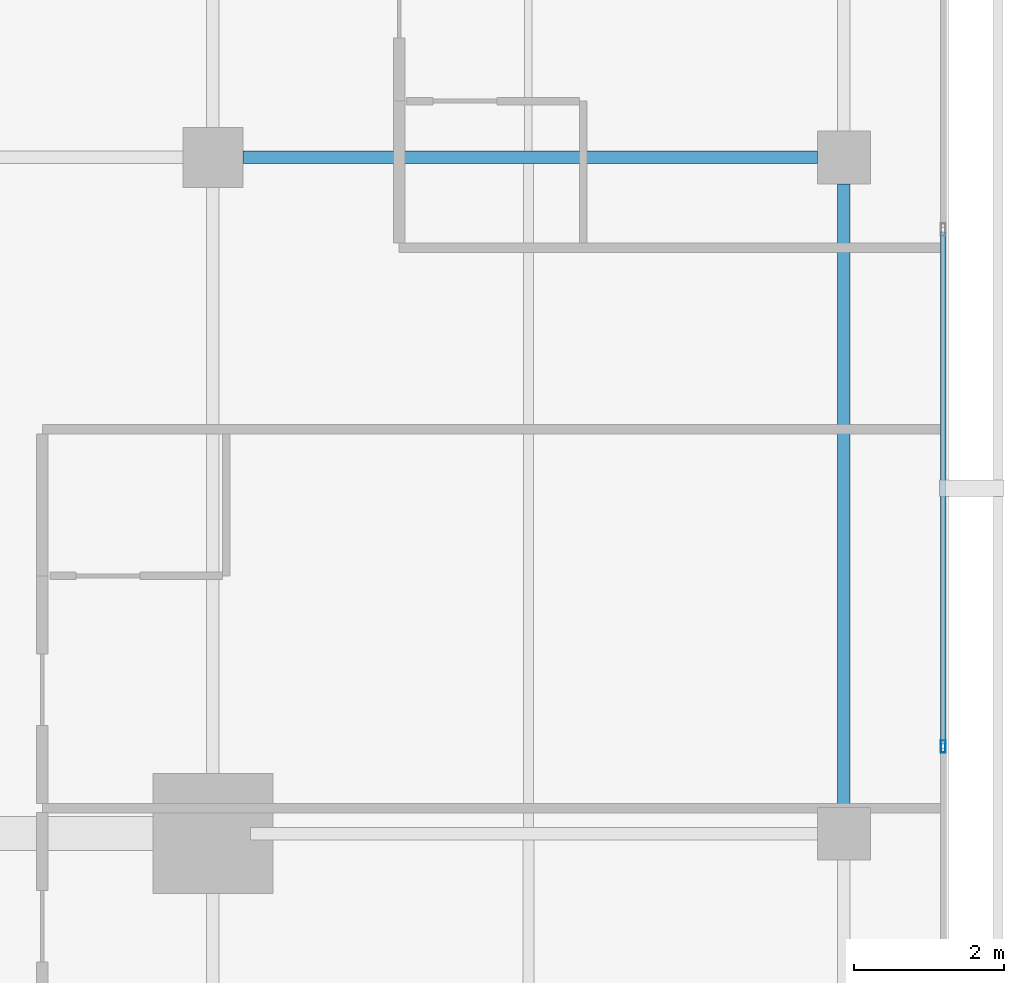
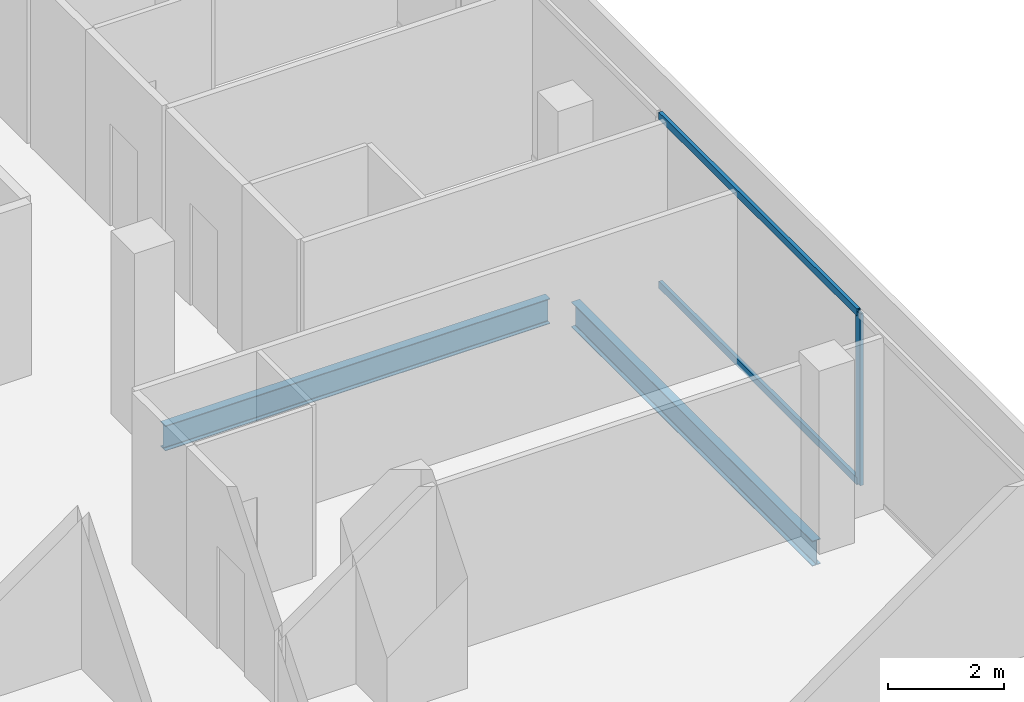
# One storey, part 14 of 26: 3 members, 2 beams, 1 element without a shape of its own.
"""IFC4 building model written with IfcOpenShell, lengths in metres."""

from ifc_helpers import new_model, si_unit, direction, frame, origin, origin_2d, place, context, subcontext, project, spatial, hollow_rectangle, i_section, extrude, material, layer, layer_set, material_profile, profile_set, type_object, element, aggregate, save


model = new_model("IFC4")

# Units and contexts
model_context = context("Model", 3, precision=1e-05, world=origin(), true_north=direction((0.0, 1.0)))
body_context = subcontext(model_context, "Body", "Model", "MODEL_VIEW")
ifc_project = project(units=[si_unit("LENGTHUNIT", "METRE"), si_unit("AREAUNIT", "SQUARE_METRE"), si_unit("VOLUMEUNIT", "CUBIC_METRE"), si_unit("PLANEANGLEUNIT", "RADIAN"), si_unit("MASSUNIT", "GRAM", prefix="KILO")], contexts=[model_context])

# Site, building, storey
site_placement = place(None, origin())
site = spatial("IfcSite", under=ifc_project, at=site_placement, CompositionType="ELEMENT")
building_placement = place(site_placement, origin())
building = spatial("IfcBuilding", under=site, at=building_placement, Name="Maruvema Waterfront Hotel and Observation Tower", CompositionType="ELEMENT")
storey_placement = place(building_placement, frame((0.0, 0.0, 285.60009765625)))
storey = spatial("IfcBuildingStorey", under=building, at=storey_placement, Name="L70", CompositionType="ELEMENT", Elevation=285.60009765625)

# Curtain wall, members
ifc_material_1 = material(Name="Anodised bronze aluminium and solar-control low-E IGU", Category="aluminium")
ifc_layer = layer(ifc_material_1, 0.159912109375, Name="Zone 3 Champagne Inner Thermal Curtain Wall System CW-04")
ifc_layer_set = layer_set([ifc_layer], Name="Anodised bronze aluminium and solar-control low-E IGU")
curtain_wall_type = type_object("IfcCurtainWallType", Name="Zone 3 Champagne Inner Thermal Curtain Wall System CW-04", PredefinedType="USERDEFINED", material=ifc_layer_set)
curtain_wall_placement = place(storey_placement, origin())
curtain_wall = element("IfcCurtainWall", 1, at=curtain_wall_placement, inside=storey, type_object=curtain_wall_type, Name="L70 Curtain Wall CW-L70-E", ObjectType="UNITISED CURTAIN WALL", PredefinedType="USERDEFINED")
ifc_material_2 = material(Name="Anodised architectural bronze aluminium", Category="aluminium")
ifc_material_profile_1 = material_profile(ifc_material_2, hollow_rectangle(XDim=0.070068359375, YDim=0.14990234375, WallThickness=0.00390625, at=origin_2d()), Name="ALU-T70x150")
ifc_profile_set_1 = profile_set([ifc_material_profile_1], Name="Anodised architectural bronze aluminium")
member_type_1 = type_object("IfcMemberType", Name="Curtain Wall Horizontal Transom ALU-T70x150", PredefinedType="USERDEFINED", material=ifc_profile_set_1)
member_1_placement = place(storey_placement, frame((60.1201171875, 28.18994140625, 0.02978515625), z_axis=(0.0, 1.0, 0.0), x_axis=(-1.0, 0.0, 0.0)))
member_1 = element("IfcMember", 2, at=member_1_placement, type_object=member_type_1, Name="CW-04 transom 3.1", ObjectType="TRANSOM", PredefinedType="USERDEFINED", context=body_context, shape_type="SweptSolid", body=[
    extrude(hollow_rectangle(XDim=0.070068359375, YDim=0.14990234375, WallThickness=0.00390625, at=origin_2d()), origin(), (0.0, 0.0, 1.0), 6.820068359375),
])
member_2_placement = place(storey_placement, frame((60.1201171875, 28.18994140625, 3.579833984375), z_axis=(0.0, 1.0, 0.0), x_axis=(-1.0, 0.0, 0.0)))
member_2 = element("IfcMember", 3, at=member_2_placement, type_object=member_type_1, Name="CW-04 transom 3.2", ObjectType="TRANSOM", PredefinedType="USERDEFINED", context=body_context, shape_type="SweptSolid", body=[
    extrude(hollow_rectangle(XDim=0.070068359375, YDim=0.14990234375, WallThickness=0.00390625, at=origin_2d()), origin(), (0.0, 0.0, 1.0), 6.820068359375),
])
ifc_material_3 = material(Name="Anodised architectural bronze aluminium", Category="aluminium")
ifc_material_profile_2 = material_profile(ifc_material_3, hollow_rectangle(XDim=0.06494140625, YDim=0.1650390625, WallThickness=0.00390625, at=origin_2d()), Name="ALU-M65x165")
ifc_profile_set_2 = profile_set([ifc_material_profile_2], Name="Anodised architectural bronze aluminium")
member_type_2 = type_object("IfcMemberType", Name="Curtain Wall Primary Mullion ALU-M65x165", PredefinedType="MULLION", material=ifc_profile_set_2)
member_3_placement = place(storey_placement, frame((60.1201171875, 28.159912109375, 0.0), z_axis=(0.0, 0.0, 1.0), x_axis=(-1.0, 0.0, 0.0)))
member_3 = element("IfcMember", 4, at=member_3_placement, type_object=member_type_2, Name="CW-04 mullion 3", PredefinedType="MULLION", context=body_context, shape_type="SweptSolid", body=[
    extrude(hollow_rectangle(XDim=0.06494140625, YDim=0.1650390625, WallThickness=0.00390625, at=origin_2d()), origin(), (0.0, 0.0, 1.0), 3.60986328125),
])
aggregate(curtain_wall, [member_3, member_1, member_2])

# Beams
ifc_material_4 = material(Name="Steel ASTM A572 Grade 50", Category="steel")
ifc_material_profile_3 = material_profile(ifc_material_4, i_section(OverallWidth=0.166015625, OverallDepth=0.529052734375, WebThickness=0.009765625, FlangeThickness=0.013671875, FilletRadius=0.014892578125, at=origin_2d()), Name="W530x74.0")
ifc_profile_set_3 = profile_set([ifc_material_profile_3], Name="Steel ASTM A572 Grade 50")
beam_type = type_object("IfcBeamType", Name="Primary Floor Girder W530x74.0", PredefinedType="BEAM", material=ifc_profile_set_3)
beam_1_placement = place(storey_placement, frame((50.800048828125, 36.0, -0.504638671875), z_axis=(1.0, 0.0, 0.0), x_axis=(0.0, 1.0, 0.0)))
element("IfcBeam", 5, at=beam_1_placement, inside=storey, type_object=beam_type, Name="L70 Floor Girder EW-16", PredefinedType="BEAM", context=body_context, shape_type="SweptSolid", body=[
    extrude(i_section(OverallWidth=0.166015625, OverallDepth=0.529052734375, WebThickness=0.009765625, FlangeThickness=0.013671875, FilletRadius=0.014892578125, at=origin_2d()), origin(), (0.0, 0.0, 1.0), 7.64990234375),
])
beam_2_placement = place(storey_placement, frame((58.800048828125, 27.35009765625, -0.504638671875), z_axis=(0.0, 1.0, 0.0), x_axis=(-1.0, 0.0, 0.0)))
element("IfcBeam", 6, at=beam_2_placement, inside=storey, type_object=beam_type, Name="L70 Floor Girder NS-17", PredefinedType="BEAM", context=body_context, shape_type="SweptSolid", body=[
    extrude(i_section(OverallWidth=0.166015625, OverallDepth=0.529052734375, WebThickness=0.009765625, FlangeThickness=0.013671875, FilletRadius=0.014892578125, at=origin_2d()), origin(), (0.0, 0.0, 1.0), 8.2998046875),
])

save(model, "model.ifc")
